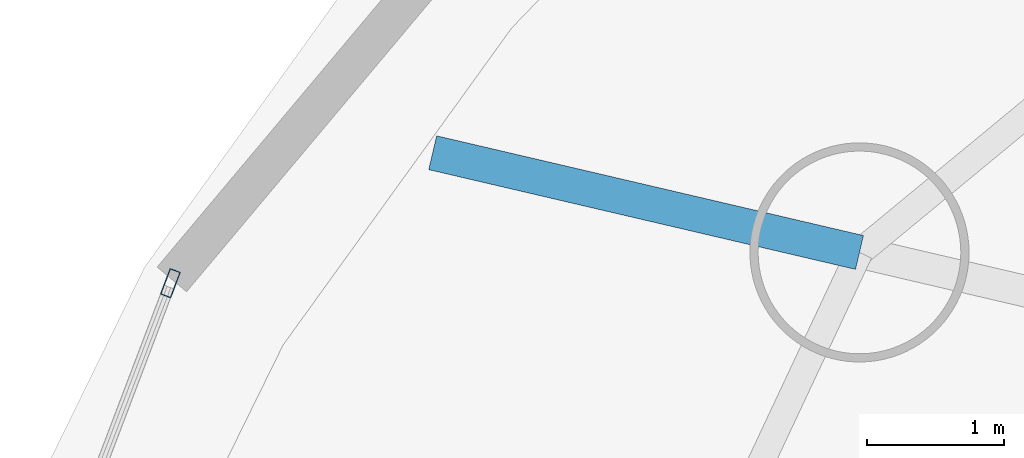
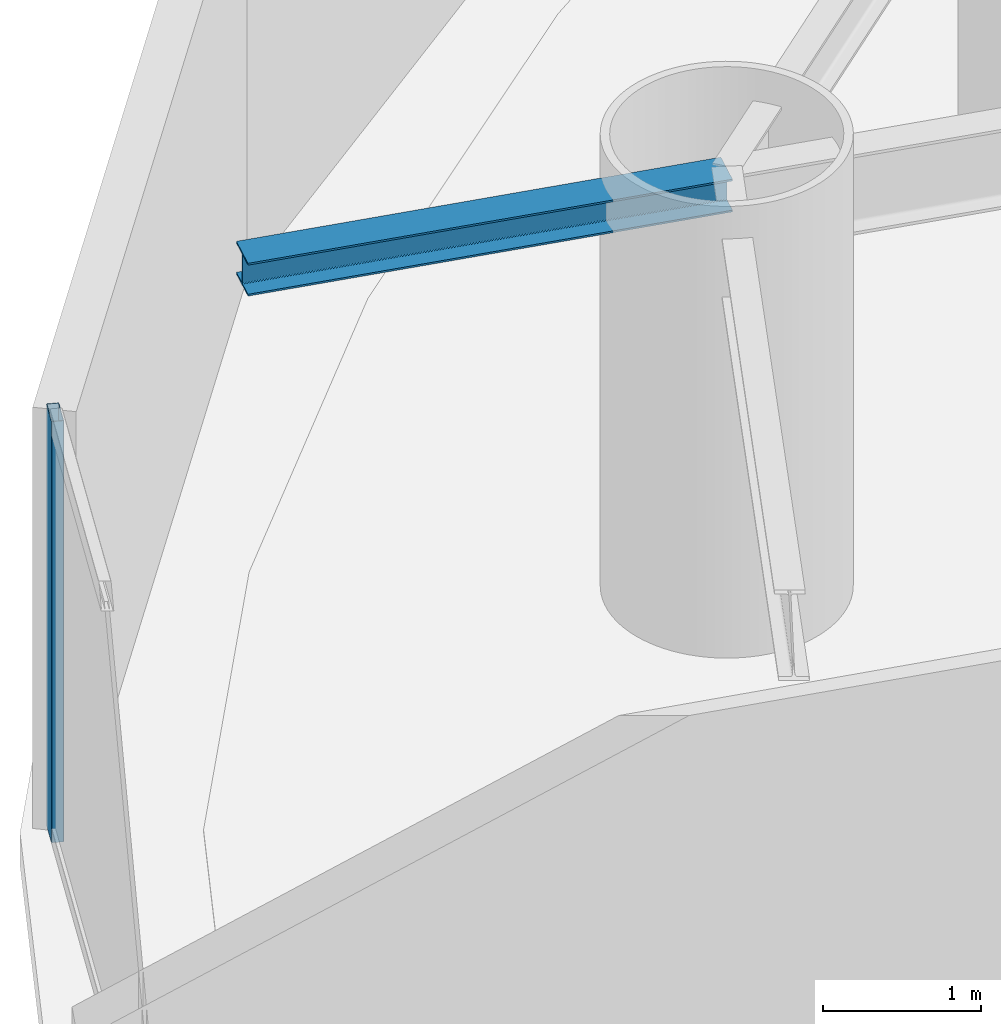
# One storey, part 15 of 27: 1 beam, 1 member, 1 element without a shape of its own.
"""IFC4 building model written with IfcOpenShell, lengths in metres."""

import ifcopenshell
import ifcopenshell.guid

model = None  # the IFC model being written
_history = None  # IfcOwnerHistory: only IFC2X3 demands one
_inside = {}  # id of a spatial element -> (the spatial element, [elements in it])
_under = {}  # id of a project, library or spatial element -> (it, [spatial elements below it])
_declared = {}  # id of a project -> (the project, [libraries it declares])
_typed = {}  # id of a type object -> (the type object, [elements of that type])
_made_of = {}  # id of a material, layer set ... -> (it, [elements and type objects made of it])


def new_model(schema):
    """Start an empty IFC model of exactly this schema.

    Asked for "IFC4X3", IfcOpenShell would pick the latest addendum, in which some entities
    have other attributes; the version numbers below select the first issue.
    IFC2X3 requires an IfcOwnerHistory on every rooted entity: one is made here for all.
    """
    global model, _history
    if schema == "IFC4X3":
        model = ifcopenshell.file(schema_version=(4, 3, 0, 0))
    else:
        model = ifcopenshell.file(schema=schema)
    _inside.clear()
    _under.clear()
    _declared.clear()
    _typed.clear()
    _made_of.clear()
    _history = None
    if model.schema == "IFC2X3":
        org = make("IfcOrganization", Name="unknown")
        user = make(
            "IfcPersonAndOrganization",
            ThePerson=make("IfcPerson", FamilyName="unknown"),
            TheOrganization=org,
        )
        app = make(
            "IfcApplication",
            ApplicationDeveloper=org,
            Version="unknown",
            ApplicationFullName="unknown",
            ApplicationIdentifier="unknown",
        )
        _history = make(
            "IfcOwnerHistory",
            OwningUser=user,
            OwningApplication=app,
            ChangeAction="ADDED",
            CreationDate=0,
        )
    return model


def make(cls, **values):
    """One entity of the class cls with the attributes given. An attribute that is None is left unset."""
    return model.create_entity(
        cls, **{name: value for name, value in values.items() if value is not None}
    )


def rooted(cls, **values):
    """An entity with a GlobalId (a new one), such as an element, a storey or a relation."""
    return make(cls, GlobalId=ifcopenshell.guid.new(), OwnerHistory=_history, **values)


def si_unit(unit_type, name, prefix=None):
    """IfcSIUnit, for example si_unit("LENGTHUNIT", "METRE", prefix="MILLI")."""
    return make("IfcSIUnit", UnitType=unit_type, Prefix=prefix, Name=name)


def assignment(units):
    """IfcUnitAssignment: the units of a project."""
    return None if units is None else make("IfcUnitAssignment", Units=units)


def point(xyz):
    """IfcCartesianPoint."""
    return None if xyz is None else make("IfcCartesianPoint", Coordinates=xyz)


def direction(xyz):
    """IfcDirection."""
    return None if xyz is None else make("IfcDirection", DirectionRatios=xyz)


def frame(location, z_axis=None, x_axis=None):
    """IfcAxis2Placement3D, a coordinate frame: its origin and axes. An axis left out is left unset."""
    return make(
        "IfcAxis2Placement3D",
        Location=point(location),
        Axis=direction(z_axis),
        RefDirection=direction(x_axis),
    )


def frame_2d(location, x_axis=None):
    """IfcAxis2Placement2D, a coordinate frame in the plane: its origin and x axis."""
    return make(
        "IfcAxis2Placement2D", Location=point(location), RefDirection=direction(x_axis)
    )


def origin():
    """The frame at (0, 0, 0) with its axes left unset."""
    return frame((0.0, 0.0, 0.0))


def origin_2d():
    """The frame at (0, 0) in the plane with its x axis left unset."""
    return frame_2d((0.0, 0.0))


def place(relative_to, where):
    """IfcLocalPlacement: puts the frame where relative to a parent placement (None: the world)."""
    return make(
        "IfcLocalPlacement", PlacementRelTo=relative_to, RelativePlacement=where
    )


def context(
    kind, dimensions, precision=None, world=None, true_north=None, identifier=None
):
    """IfcGeometricRepresentationContext, for example the 3D "Model" context."""
    return make(
        "IfcGeometricRepresentationContext",
        ContextIdentifier=identifier,
        ContextType=kind,
        CoordinateSpaceDimension=dimensions,
        Precision=precision,
        WorldCoordinateSystem=world,
        TrueNorth=true_north,
    )


def subcontext(parent, identifier, kind, view, scale=None):
    """IfcGeometricRepresentationSubContext, for example "Body" below "Model"."""
    return make(
        "IfcGeometricRepresentationSubContext",
        ContextIdentifier=identifier,
        ContextType=kind,
        ParentContext=parent,
        TargetScale=scale,
        TargetView=view,
    )


def project(units=None, contexts=None):
    """IfcProject with its units and contexts."""
    return rooted(
        "IfcProject",
        Name="project",
        RepresentationContexts=contexts,
        UnitsInContext=assignment(units),
    )


def spatial(cls, under=None, at=None, **own):
    """A site, building, storey or space (cls), placed at a placement, below another one or the project."""
    s = rooted(cls, ObjectPlacement=at, **own)
    if under is not None:
        _under.setdefault(under.id(), (under, []))[1].append(s)
    return s


def profile(cls, at=None, kind="AREA", **sizes):
    """A parametric profile (cls). Its sizes go by their IFC names, for example OverallWidth=200.0."""
    return make(cls, ProfileType=kind, Position=at, **sizes)


def hollow_rectangle(**sizes):
    """IfcRectangleHollowProfileDef."""
    return profile("IfcRectangleHollowProfileDef", **sizes)


def i_section(**sizes):
    """IfcIShapeProfileDef."""
    return profile("IfcIShapeProfileDef", **sizes)


def extrude(swept, where, along, depth):
    """IfcExtrudedAreaSolid: the profile swept, set in the frame where, extruded along a direction by depth."""
    return make(
        "IfcExtrudedAreaSolid",
        SweptArea=swept,
        Position=where,
        ExtrudedDirection=direction(along),
        Depth=depth,
    )


def shape(context_of_items, identifier, shape_type, items):
    """IfcShapeRepresentation: the items that make up one representation, for example the "Body"."""
    return make(
        "IfcShapeRepresentation",
        ContextOfItems=context_of_items,
        RepresentationIdentifier=identifier,
        RepresentationType=shape_type,
        Items=items,
    )


def material(Name=None, Category=None):
    """IfcMaterial."""
    return make("IfcMaterial", Name=Name, Category=Category)


def layer(
    of_material, thickness, ventilated=None, Name=None, Category=None, Priority=None
):
    """IfcMaterialLayer: one layer of a wall or slab, of a material (None: an air gap)."""
    return make(
        "IfcMaterialLayer",
        Material=of_material,
        LayerThickness=thickness,
        IsVentilated=ventilated,
        Name=Name,
        Category=Category,
        Priority=Priority,
    )


def layer_set(layers, Name=None):
    """IfcMaterialLayerSet."""
    return make("IfcMaterialLayerSet", MaterialLayers=layers, LayerSetName=Name)


def material_profile(
    of_material, cross_section, Name=None, Category=None, Priority=None
):
    """IfcMaterialProfile: a cross section and its material."""
    return make(
        "IfcMaterialProfile",
        Name=Name,
        Material=of_material,
        Profile=cross_section,
        Priority=Priority,
        Category=Category,
    )


def profile_set(profiles, Name=None, composite=None):
    """IfcMaterialProfileSet."""
    return make(
        "IfcMaterialProfileSet",
        Name=Name,
        MaterialProfiles=profiles,
        CompositeProfile=composite,
    )


def made_of(thing, what):
    """Note that an element or type object is made of a material, layer set ...; save() writes the relation."""
    if what is not None:
        _made_of.setdefault(what.id(), (what, []))[1].append(thing)
    return thing


def type_object(cls, material=None, **own):
    """A type object (cls), such as IfcWallType, which elements share."""
    return made_of(rooted(cls, **own), material)


def element(
    cls,
    number,
    at=None,
    inside=None,
    cuts=None,
    type_object=None,
    material=None,
    context=None,
    identifier="Body",
    shape_type=None,
    held_by="IfcProductDefinitionShape",
    body=None,
    shapes=None,
    **own,
):
    """One element of the class cls, such as IfcWall. Its Tag is "e" and its number.

    at: its placement. inside: the storey or other place that contains it. cuts: it is an
    opening in that element (IfcRelVoidsElement). A single representation is given by context,
    identifier, shape_type and body (its items); several are given by shapes. held_by: the class
    of the entity that holds the representations. save() writes the other relations.
    """
    e = rooted(cls, Tag="e%d" % number, ObjectPlacement=at, **own)
    if body is not None:
        shapes = [shape(context, identifier, shape_type, body)]
    if shapes is not None:
        e.Representation = make(held_by, Representations=shapes)
    if inside is not None:
        _inside.setdefault(inside.id(), (inside, []))[1].append(e)
    if cuts is not None:
        rooted(
            "IfcRelVoidsElement", RelatingBuildingElement=cuts, RelatedOpeningElement=e
        )
    if type_object is not None:
        _typed.setdefault(type_object.id(), (type_object, []))[1].append(e)
    return made_of(e, material)


def aggregate(whole, parts):
    """IfcRelAggregates: a whole, such as a stair, and the parts it consists of."""
    return rooted("IfcRelAggregates", RelatingObject=whole, RelatedObjects=parts)


def save(model, path):
    """Write the relations noted so far, then the file.

    IfcRelAggregates (storeys below a building ...), IfcRelContainedInSpatialStructure (elements
    in a storey), IfcRelDefinesByType, IfcRelAssociatesMaterial and IfcRelDeclares: one each for
    every whole, place, type object, material and project.
    """
    for whole, parts in _under.values():
        aggregate(whole, parts)
    for where, things in _inside.values():
        rooted(
            "IfcRelContainedInSpatialStructure",
            RelatedElements=things,
            RelatingStructure=where,
        )
    for kind, things in _typed.values():
        rooted("IfcRelDefinesByType", RelatedObjects=things, RelatingType=kind)
    for what, things in _made_of.values():
        rooted("IfcRelAssociatesMaterial", RelatedObjects=things, RelatingMaterial=what)
    for by, libraries in _declared.values():
        rooted("IfcRelDeclares", RelatingContext=by, RelatedDefinitions=libraries)
    model.write(path)


model = new_model("IFC4")

# Units and contexts
model_context = context("Model", 3, precision=1e-05, world=origin(), true_north=direction((0.0, 1.0)))
body_context = subcontext(model_context, "Body", "Model", "MODEL_VIEW")
ifc_project = project(units=[si_unit("LENGTHUNIT", "METRE"), si_unit("AREAUNIT", "SQUARE_METRE"), si_unit("VOLUMEUNIT", "CUBIC_METRE"), si_unit("PLANEANGLEUNIT", "RADIAN"), si_unit("MASSUNIT", "GRAM", prefix="KILO")], contexts=[model_context])

# Site, building, storey
site_placement = place(None, origin())
site = spatial("IfcSite", under=ifc_project, at=site_placement, CompositionType="ELEMENT")
building_placement = place(site_placement, origin())
building = spatial("IfcBuilding", under=site, at=building_placement, Name="Bramvorn Convention Spire", CompositionType="ELEMENT")
storey_placement = place(building_placement, frame((0.0, 0.0, 72.89990234375)))
storey = spatial("IfcBuildingStorey", under=building, at=storey_placement, Name="L16", CompositionType="ELEMENT", Elevation=72.89990234375)

# Beam
ifc_material_1 = material(Name="Steel CSA G40.21 Grade 350 (350W)", Category="steel")
ifc_material_profile_1 = material_profile(ifc_material_1, i_section(OverallWidth=0.25390625, OverallDepth=0.2529296875, WebThickness=0.008544921875, FlangeThickness=0.01416015625, FilletRadius=0.011962890625, at=origin_2d()))
ifc_profile_set_1 = profile_set([ifc_material_profile_1], Name="Steel CSA G40.21 Grade 350 (350W) - W250X73")
beam_type = type_object("IfcBeamType", Name="BM-W250X73", PredefinedType="BEAM", material=ifc_profile_set_1)
beam_placement = place(storey_placement, frame((12.64111328125, 36.746337890625, 3.108642578125), z_axis=(-0.973778145797, 0.227499720367, 0.0), x_axis=(-0.227499720367, -0.973778145797, 0.0)))
element("IfcBeam", 1, at=beam_placement, inside=storey, type_object=beam_type, Name="L16 slab-edge cantilever tip beam MC08", PredefinedType="BEAM", context=body_context, shape_type="SweptSolid", body=[
    extrude(i_section(OverallWidth=0.25390625, OverallDepth=0.2529296875, WebThickness=0.008544921875, FlangeThickness=0.01416015625, FilletRadius=0.011962890625, at=origin_2d()), origin(), (0.0, 0.0, 1.0), 3.2001953125),
])

# Curtain wall, member
ifc_material_2 = material(Name="Anodised Bronze Unitised Curtain Wall", Category="aluminium")
ifc_layer = layer(ifc_material_2, 0.179931640625)
ifc_layer_set = layer_set([ifc_layer], Name="Anodised Bronze Unitised Curtain Wall - CW-HTL-FRIT")
curtain_wall_type = type_object("IfcCurtainWallType", Name="CW-HTL-FRIT", PredefinedType="USERDEFINED", material=ifc_layer_set)
curtain_wall_placement = place(storey_placement, origin())
curtain_wall = element("IfcCurtainWall", 2, at=curtain_wall_placement, inside=storey, type_object=curtain_wall_type, Name="L16 fritted glass curtain wall 12", ObjectType="UNITISED CURTAIN WALL", PredefinedType="USERDEFINED")
ifc_material_3 = material(Name="Anodised Bronze Aluminium 6063-T6", Category="aluminium")
ifc_material_profile_2 = material_profile(ifc_material_3, hollow_rectangle(XDim=0.080078125, YDim=0.199951171875, WallThickness=0.00390625, InnerFilletRadius=0.0009765625, OuterFilletRadius=0.00390625, at=origin_2d()))
ifc_profile_set_2 = profile_set([ifc_material_profile_2], Name="Anodised Bronze Aluminium 6063-T6 - CWM80X200")
member_type = type_object("IfcMemberType", Name="CW-MUL-180", PredefinedType="MULLION", material=ifc_profile_set_2)
member_placement = place(storey_placement, frame((7.60986328125, 36.521728515625, 0.0), z_axis=(0.0, 0.0, 1.0), x_axis=(-0.934904934292, 0.354898244342, 0.0)))
member = element("IfcMember", 3, at=member_placement, type_object=member_type, Name="CW2 mullion 2", PredefinedType="MULLION", context=body_context, shape_type="SweptSolid", body=[
    extrude(hollow_rectangle(XDim=0.080078125, YDim=0.199951171875, WallThickness=0.00390625, InnerFilletRadius=0.0009765625, OuterFilletRadius=0.00390625, at=origin_2d()), origin(), (0.0, 0.0, 1.0), 3.25),
])
aggregate(curtain_wall, [member])

save(model, "model.ifc")
